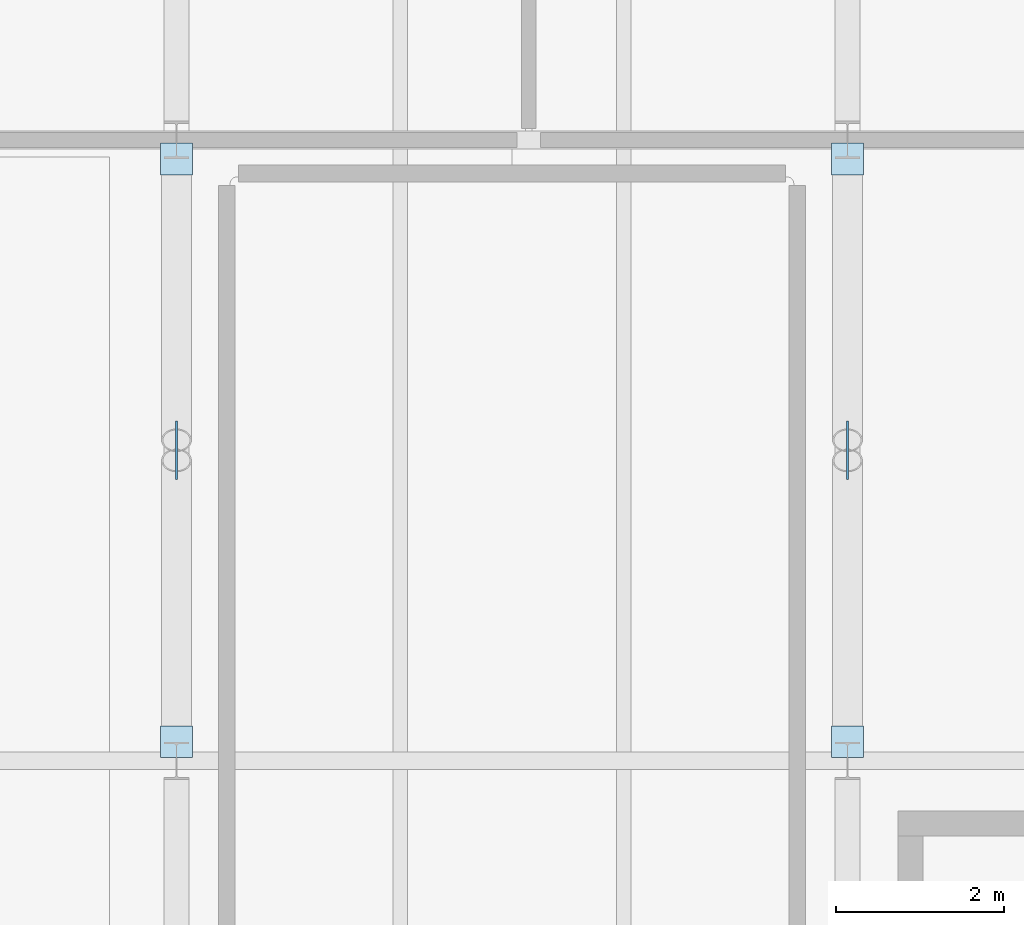
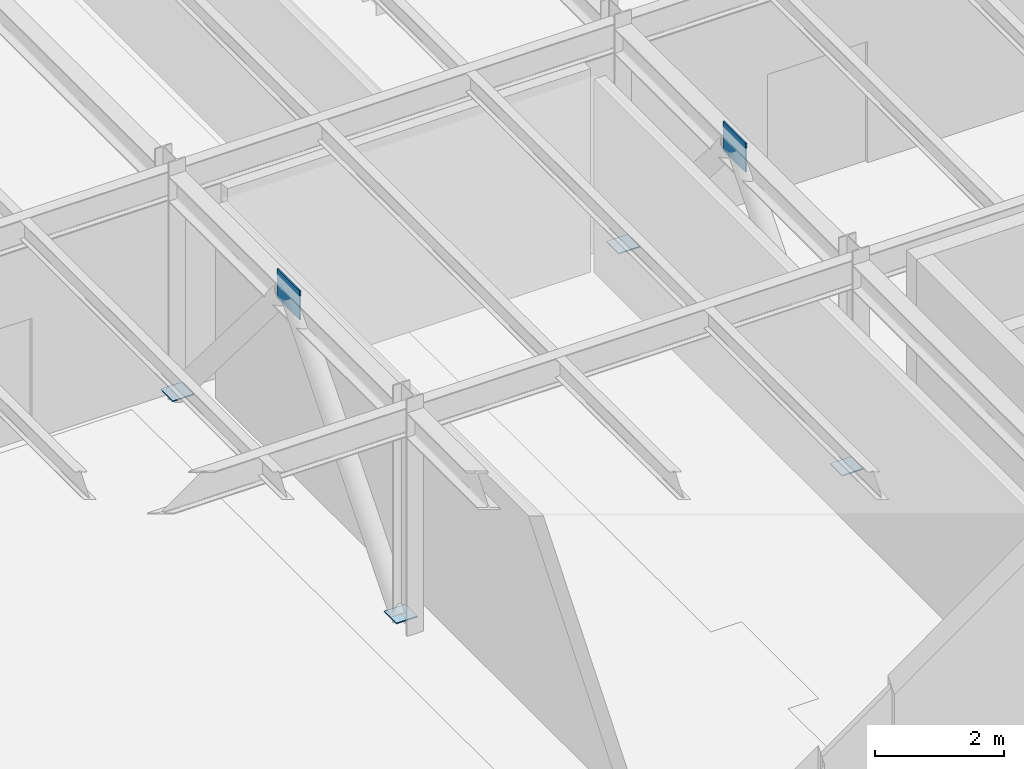
# One storey, part 35 of 75: 6 plates.
"""IFC4 building model written with IfcOpenShell, lengths in metres."""

from ifc_helpers import new_model, si_unit, direction, frame, origin, origin_2d, place, context, subcontext, project, spatial, rectangle, extrude, material, layer, layer_set, type_object, element, save


model = new_model("IFC4")

# Units and contexts
model_context = context("Model", 3, precision=1e-05, world=origin(), true_north=direction((0.0, 1.0)))
body_context = subcontext(model_context, "Body", "Model", "MODEL_VIEW")
ifc_project = project(units=[si_unit("LENGTHUNIT", "METRE"), si_unit("AREAUNIT", "SQUARE_METRE"), si_unit("VOLUMEUNIT", "CUBIC_METRE"), si_unit("PLANEANGLEUNIT", "RADIAN"), si_unit("MASSUNIT", "GRAM", prefix="KILO")], contexts=[model_context])

# Site, building, storey
site_placement = place(None, origin())
site = spatial("IfcSite", under=ifc_project, at=site_placement, CompositionType="ELEMENT")
building_placement = place(site_placement, origin())
building = spatial("IfcBuilding", under=site, at=building_placement, Name="Valkorina Park Police Headquarters", CompositionType="ELEMENT")
storey_placement = place(building_placement, frame((0.0, 0.0, 5.39990234375)))
storey = spatial("IfcBuildingStorey", under=building, at=storey_placement, Name="L02", CompositionType="ELEMENT", Elevation=5.39990234375)

# Plates
ifc_material = material(Name="Steel S355", Category="steel")
ifc_layer_1 = layer(ifc_material, 0.02001953125)
ifc_layer_set_1 = layer_set([ifc_layer_1], Name="Steel S355")
plate_type_1 = type_object("IfcPlateType", Name="PL-ENDCAP-20", PredefinedType="USERDEFINED", material=ifc_layer_set_1)
for number, where, z_axis, x_axis, name in (
    (1, (104.800048828125, 74.22509765625, 0.090087890625), (0.0, 0.0, 1.0), (1.0, 0.0, 0.0), "Brace Base End Cap Plate 226"),
    (2, (104.800048828125, 81.175048828125, 0.090087890625), (0.0, 0.0, 1.0), (1.0, 0.0, 0.0), "Brace Base End Cap Plate 227"),
    (3, (112.800048828125, 74.22509765625, 0.090087890625), (0.0, 0.0, 1.0), (1.0, 0.0, 0.0), "Brace Base End Cap Plate 241"),
    (4, (112.800048828125, 81.175048828125, 0.090087890625), (0.0, 0.0, 1.0), (1.0, 0.0, 0.0), "Brace Base End Cap Plate 242"),
):
    element("IfcPlate", number, at=place(storey_placement, frame(where, z_axis=z_axis, x_axis=x_axis)), inside=storey, type_object=plate_type_1, Name=name, ObjectType="END CAP PLATE", PredefinedType="USERDEFINED", context=body_context, shape_type="SweptSolid", body=[
        extrude(rectangle(XDim=0.3798828125, YDim=0.3798828125, at=origin_2d()), origin(), (0.0, 0.0, 1.0), 0.02001953125),
    ])
ifc_layer_2 = layer(ifc_material, 0.02392578125)
ifc_layer_set_2 = layer_set([ifc_layer_2], Name="Steel S355")
plate_type_2 = type_object("IfcPlateType", Name="PL-GUSSET-24", PredefinedType="USERDEFINED", material=ifc_layer_set_2)
for number, where, z_axis, x_axis, name in (
    (5, (104.800048828125, 77.699951171875, 3.78515625), (0.0, 0.0, 1.0), (1.0, 0.0, 0.0), "Chevron Apex Gusset Plate CBF-22 228"),
    (6, (112.800048828125, 77.699951171875, 3.78515625), (0.0, 0.0, 1.0), (1.0, 0.0, 0.0), "Chevron Apex Gusset Plate CBF-32 243"),
):
    element("IfcPlate", number, at=place(storey_placement, frame(where, z_axis=z_axis, x_axis=x_axis)), inside=storey, type_object=plate_type_2, Name=name, ObjectType="GUSSET PLATE", PredefinedType="USERDEFINED", context=body_context, shape_type="SweptSolid", body=[
        extrude(rectangle(XDim=0.02392578125, YDim=0.699951171875, at=origin_2d()), origin(), (0.0, 0.0, 1.0), 0.550048828125),
    ])

save(model, "model.ifc")
